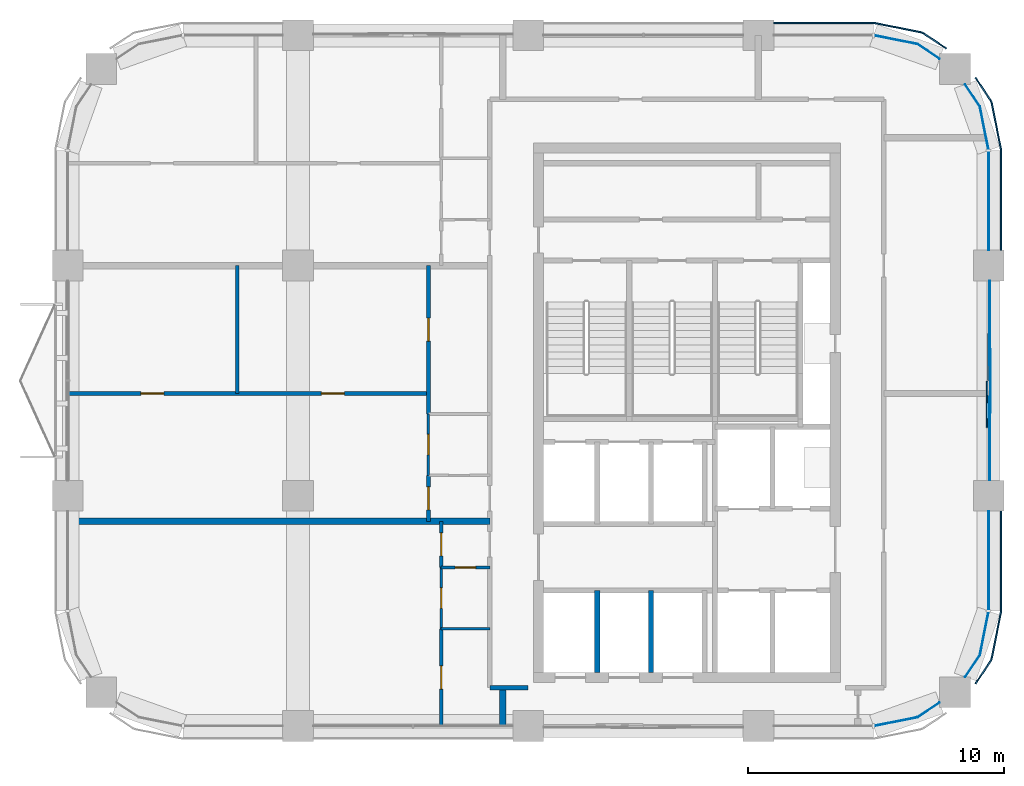
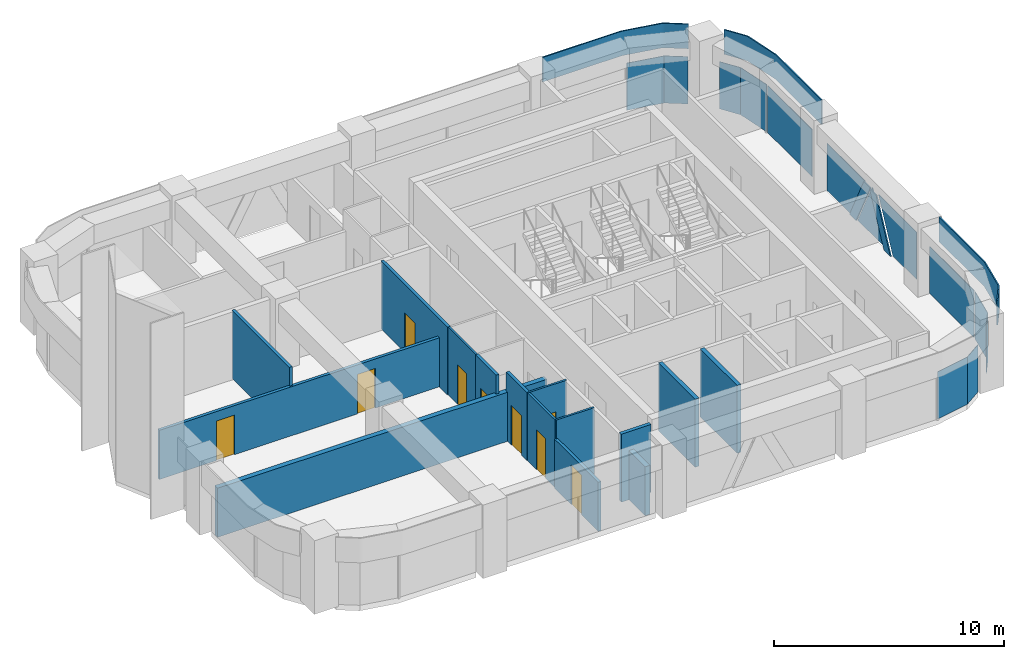
# One storey, part 6 of 10: 15 walls, 14 plates, 9 doors, 9 openings, 5 elements without a shape of their own.
"""IFC4 building model written with IfcOpenShell, lengths in metres."""

from ifc_helpers import new_model, si_unit, direction, frame, frame_2d, origin, origin_2d, place, context, subcontext, project, spatial, polyline, rectangle, outline, extrude, material, layer, layer_set, type_object, element, fill, aggregate, save


model = new_model("IFC4")

# Units and contexts
model_context = context("Model", 3, precision=1e-05, world=origin(), true_north=direction((0.0, 1.0)))
body_context = subcontext(model_context, "Body", "Model", "MODEL_VIEW")
ifc_project = project(units=[si_unit("LENGTHUNIT", "METRE"), si_unit("AREAUNIT", "SQUARE_METRE"), si_unit("VOLUMEUNIT", "CUBIC_METRE"), si_unit("PLANEANGLEUNIT", "RADIAN"), si_unit("MASSUNIT", "GRAM", prefix="KILO")], contexts=[model_context])

# Site, building, storey
site_placement = place(None, origin())
site = spatial("IfcSite", under=ifc_project, at=site_placement, CompositionType="ELEMENT")
building_placement = place(site_placement, origin())
building = spatial("IfcBuilding", under=site, at=building_placement, Name="Tessera Arch", CompositionType="ELEMENT")
storey_placement = place(building_placement, frame((0.0, 0.0, 238.39990234375)))
storey = spatial("IfcBuildingStorey", under=building, at=storey_placement, Name="L57", CompositionType="ELEMENT", Elevation=238.39990234375)

# Curtain wall, plates
ifc_material_1 = material(Name="CW2 curtain wall")
curtain_wall_type_1 = type_object("IfcCurtainWallType", Name="CW2 curtain wall", PredefinedType="NOTDEFINED", material=ifc_material_1)
curtain_wall_1_placement = place(storey_placement, origin())
curtain_wall_1 = element("IfcCurtainWall", 1, at=curtain_wall_1_placement, inside=storey, type_object=curtain_wall_type_1, Name="CW2 curtain wall E54.27/1 L57", PredefinedType="NOTDEFINED")
ifc_material_2 = material(Name="Clear low-e glass", Category="glass")
ifc_material_3 = material(Name="Clear low-e glass", Category="glass")
ifc_layer_1 = layer(ifc_material_3, 0.028076171875)
ifc_layer_set_1 = layer_set([ifc_layer_1], Name="CW2 glass panel")
plate_type_1 = type_object("IfcPlateType", Name="CW2 glass panel", PredefinedType="CURTAIN_PANEL", material=ifc_layer_set_1)
plate_1_placement = place(storey_placement, frame((54.0, 47.530029296875, 0.0), z_axis=(0.0, 0.0, 1.0), x_axis=(0.0, 1.0, 0.0)))
plate_1 = element("IfcPlate", 2, at=plate_1_placement, type_object=plate_type_1, material=ifc_material_2, Name="CW2 glass panel E54.27/1 1.1", PredefinedType="CURTAIN_PANEL", context=body_context, shape_type="SweptSolid", body=[
    extrude(rectangle(XDim=3.860107421875, YDim=0.028076171875, at=origin_2d()), origin(), (0.0, 0.0, 1.0), 2.5),
])
plate_2_placement = place(storey_placement, origin())
plate_2 = element("IfcPlate", 3, at=plate_2_placement, type_object=plate_type_1, material=ifc_material_2, Name="CW2 curved glass panel E54.27/1 2.1", PredefinedType="CURTAIN_PANEL", context=body_context, shape_type="SweptSolid", body=[
    extrude(outline(polyline([(53.644287109375, 51.216552734375), (53.978515625, 49.53662109375), (54.005859375, 49.5419921875), (53.670654296875, 51.2275390625), (53.094482421875, 52.08984375), (53.0712890625, 52.07421875), (53.644287109375, 51.216552734375)])), origin(), (0.0, 0.0, 1.0), 2.5),
])

# Curtain wall, plate
curtain_wall_2_placement = place(storey_placement, origin())
curtain_wall_2 = element("IfcCurtainWall", 4, at=curtain_wall_2_placement, inside=storey, type_object=curtain_wall_type_1, Name="CW2 curtain wall N54.18/0 L57", PredefinedType="NOTDEFINED")
plate_3_placement = place(storey_placement, origin())
plate_3 = element("IfcPlate", 5, at=plate_3_placement, type_object=plate_type_1, material=ifc_material_2, Name="CW2 curved glass panel N54.18/0 2.1", PredefinedType="CURTAIN_PANEL", context=body_context, shape_type="SweptSolid", body=[
    extrude(outline(polyline([(51.216552734375, 53.644287109375), (52.07421875, 53.0712890625), (52.08984375, 53.094482421875), (51.2275390625, 53.670654296875), (49.5419921875, 54.005859375), (49.53662109375, 53.978515625), (51.216552734375, 53.644287109375)])), origin(), (0.0, 0.0, 1.0), 2.5),
])

curtain_wall_3_placement = place(storey_placement, origin())
curtain_wall_3 = element("IfcCurtainWall", 6, at=curtain_wall_3_placement, inside=storey, type_object=curtain_wall_type_1, Name="CW2 curtain wall S27.18/3 L57", PredefinedType="NOTDEFINED")
plate_4_placement = place(storey_placement, origin())
plate_4 = element("IfcPlate", 7, at=plate_4_placement, type_object=plate_type_1, material=ifc_material_2, Name="CW2 curved glass panel S27.18/3 2.1", PredefinedType="CURTAIN_PANEL", context=body_context, shape_type="SweptSolid", body=[
    extrude(outline(polyline([(51.216552734375, 27.355712890625), (49.53662109375, 27.021484375), (49.5419921875, 26.994140625), (51.2275390625, 27.329345703125), (52.08984375, 27.905517578125), (52.07421875, 27.9287109375), (51.216552734375, 27.355712890625)])), origin(), (0.0, 0.0, 1.0), 2.5),
])
aggregate(curtain_wall_3, [plate_4])

# Curtain wall, plates
curtain_wall_4_placement = place(storey_placement, origin())
curtain_wall_4 = element("IfcCurtainWall", 8, at=curtain_wall_4_placement, inside=storey, type_object=curtain_wall_type_1, Name="CW2 curtain wall E54.27/2 L57", PredefinedType="NOTDEFINED")
plate_5_placement = place(storey_placement, frame((54.0, 33.469970703125, 0.0), z_axis=(0.0, 0.0, 1.0), x_axis=(0.0, 1.0, 0.0)))
plate_5 = element("IfcPlate", 9, at=plate_5_placement, type_object=plate_type_1, material=ifc_material_2, Name="CW2 glass panel E54.27/2 1.1", PredefinedType="CURTAIN_PANEL", context=body_context, shape_type="SweptSolid", body=[
    extrude(rectangle(XDim=3.860107421875, YDim=0.028076171875, at=origin_2d()), origin(), (0.0, 0.0, 1.0), 2.5),
])
plate_6_placement = place(storey_placement, origin())
plate_6 = element("IfcPlate", 10, at=plate_6_placement, type_object=plate_type_1, material=ifc_material_2, Name="CW2 curved glass panel E54.27/2 2.1", PredefinedType="CURTAIN_PANEL", context=body_context, shape_type="SweptSolid", body=[
    extrude(outline(polyline([(53.644287109375, 29.783447265625), (53.0712890625, 28.92578125), (53.094482421875, 28.91015625), (53.670654296875, 29.7724609375), (54.005859375, 31.4580078125), (53.978515625, 31.46337890625), (53.644287109375, 29.783447265625)])), origin(), (0.0, 0.0, 1.0), 2.5),
])

# Plate
ifc_material_4 = material(Name="Pale anodised aluminium panel", Category="aluminium")
ifc_layer_2 = layer(ifc_material_4, 0.06005859375)
ifc_layer_set_2 = layer_set([ifc_layer_2], Name="CW2 spandrel panel")
plate_type_2 = type_object("IfcPlateType", Name="CW2 spandrel panel", PredefinedType="CURTAIN_PANEL", material=ifc_layer_set_2)
plate_7_placement = place(storey_placement, frame((0.0, 0.0, 2.60009765625)))
plate_7 = element("IfcPlate", 11, at=plate_7_placement, type_object=plate_type_2, Name="CW2 spandrel panel E54.27/1", PredefinedType="CURTAIN_PANEL", context=body_context, shape_type="SweptSolid", body=[
    extrude(outline(polyline([(54.449951171875, 49.499267578125), (54.449951171875, 45.60009765625), (54.510009765625, 45.60009765625), (54.510009765625, 49.500732421875), (54.507568359375, 49.550048828125), (54.500244140625, 49.598876953125), (54.157470703125, 51.322265625), (54.1455078125, 51.3701171875), (54.128662109375, 51.417236328125), (54.107421875, 51.462646484375), (54.08203125, 51.5048828125), (53.5068359375, 52.365234375), (53.45703125, 52.33203125), (54.03125, 51.47265625), (54.054443359375, 51.434326171875), (54.0732421875, 51.394287109375), (54.088134765625, 51.352783203125), (54.09912109375, 51.30908203125), (54.441162109375, 49.588623046875), (54.44775390625, 49.544189453125), (54.449951171875, 49.499267578125)])), origin(), (0.0, 0.0, 1.0), 1.300048828125),
])

aggregate(curtain_wall_1, [plate_1, plate_2, plate_7])

plate_8_placement = place(storey_placement, frame((0.0, 0.0, 2.60009765625)))
plate_8 = element("IfcPlate", 12, at=plate_8_placement, type_object=plate_type_2, Name="CW2 spandrel panel N54.18/0", PredefinedType="CURTAIN_PANEL", context=body_context, shape_type="SweptSolid", body=[
    extrude(outline(polyline([(51.47265625, 54.03125), (52.33203125, 53.45703125), (52.365234375, 53.5068359375), (51.5048828125, 54.08203125), (51.462646484375, 54.107421875), (51.417236328125, 54.128662109375), (51.3701171875, 54.1455078125), (51.322265625, 54.157470703125), (49.598876953125, 54.500244140625), (49.550048828125, 54.507568359375), (49.500732421875, 54.510009765625), (45.60009765625, 54.510009765625), (45.60009765625, 54.449951171875), (49.499267578125, 54.449951171875), (49.544189453125, 54.44775390625), (49.588623046875, 54.441162109375), (51.30908203125, 54.09912109375), (51.352783203125, 54.088134765625), (51.394287109375, 54.0732421875), (51.434326171875, 54.054443359375), (51.47265625, 54.03125)])), origin(), (0.0, 0.0, 1.0), 1.300048828125),
])

aggregate(curtain_wall_2, [plate_3, plate_8])

plate_9_placement = place(storey_placement, frame((0.0, 0.0, 2.60009765625)))
plate_9 = element("IfcPlate", 13, at=plate_9_placement, type_object=plate_type_2, Name="CW2 spandrel panel E54.27/2", PredefinedType="CURTAIN_PANEL", context=body_context, shape_type="SweptSolid", body=[
    extrude(outline(polyline([(54.03125, 29.52734375), (53.45703125, 28.66796875), (53.5068359375, 28.634765625), (54.08203125, 29.4951171875), (54.107421875, 29.537353515625), (54.128662109375, 29.582763671875), (54.1455078125, 29.6298828125), (54.157470703125, 29.677734375), (54.500244140625, 31.401123046875), (54.507568359375, 31.449951171875), (54.510009765625, 31.499267578125), (54.510009765625, 35.39990234375), (54.449951171875, 35.39990234375), (54.449951171875, 31.500732421875), (54.44775390625, 31.455810546875), (54.441162109375, 31.411376953125), (54.09912109375, 29.69091796875), (54.088134765625, 29.647216796875), (54.0732421875, 29.605712890625), (54.054443359375, 29.565673828125), (54.03125, 29.52734375)])), origin(), (0.0, 0.0, 1.0), 1.300048828125),
])

aggregate(curtain_wall_4, [plate_5, plate_6, plate_9])

# Curtain wall, plates
ifc_material_5 = material(Name="CW3 curtain wall")
curtain_wall_type_2 = type_object("IfcCurtainWallType", Name="CW3 curtain wall", PredefinedType="NOTDEFINED", material=ifc_material_5)
curtain_wall_5_placement = place(storey_placement, origin())
curtain_wall_5 = element("IfcCurtainWall", 14, at=curtain_wall_5_placement, inside=storey, type_object=curtain_wall_type_2, Name="CW3 curtain wall E54.27/0 L57", PredefinedType="NOTDEFINED")
ifc_material_6 = material(Name="Pale anodised aluminium panel", Category="aluminium")
ifc_layer_3 = layer(ifc_material_6, 0.06005859375)
ifc_layer_set_3 = layer_set([ifc_layer_3], Name="CW3 diagonal panel")
plate_type_3 = type_object("IfcPlateType", Name="CW3 diagonal panel", PredefinedType="CURTAIN_PANEL", material=ifc_layer_set_3)
plate_10_placement = place(storey_placement, frame((54.030029296875, 41.082275390625, 2.5), z_axis=(1.0, 0.0, 0.0), x_axis=(0.0, -1.0, 0.0)))
plate_10 = element("IfcPlate", 15, at=plate_10_placement, type_object=plate_type_3, Name="CW3 diagonal panel E54.27/0 1", PredefinedType="CURTAIN_PANEL", context=body_context, shape_type="SweptSolid", body=[
    extrude(outline(polyline([(0.0, 0.0), (0.564453125, 0.0), (-0.685546875, 2.5), (-1.25, 2.5), (0.0, 0.0)])), origin(), (0.0, 0.0, -1.0), 0.06005859375),
])
plate_11_placement = place(storey_placement, frame((53.969970703125, 40.482177734375, 2.5), z_axis=(1.0, 0.0, 0.0), x_axis=(0.0, -1.0, 0.0)))
plate_11 = element("IfcPlate", 16, at=plate_11_placement, type_object=plate_type_3, Name="CW3 diagonal panel E54.27/0 2", PredefinedType="CURTAIN_PANEL", context=body_context, shape_type="SweptSolid", body=[
    extrude(outline(polyline([(0.0, 0.0), (0.564453125, 0.0), (1.814453125, 2.5), (1.25, 2.5), (0.0, 0.0)])), origin(), (0.0, 0.0, -1.0), 0.06005859375),
])
ifc_material_7 = material(Name="Clear low-e glass", Category="glass")
ifc_layer_4 = layer(ifc_material_7, 0.028076171875)
ifc_layer_set_4 = layer_set([ifc_layer_4], Name="CW3 glass panel")
plate_type_4 = type_object("IfcPlateType", Name="CW3 glass panel", PredefinedType="CURTAIN_PANEL", material=ifc_layer_set_4)
plate_12_placement = place(storey_placement, frame((54.05810546875, 36.60009765625, 0.0), z_axis=(1.0, 0.0, 0.0), x_axis=(0.0, 1.0, 0.0)))
plate_12 = element("IfcPlate", 17, at=plate_12_placement, type_object=plate_type_4, material=ifc_material_2, Name="CW3 triangulated glass panel E54.27/0 1", PredefinedType="CURTAIN_PANEL", context=body_context, shape_type="SweptSolid", body=[
    extrude(outline(polyline([(0.0, 0.0), (2.067626953125, 0.0), (3.317626953125, 2.5), (0.0, 2.5), (0.0, 0.0)])), origin(), (0.0, 0.0, -1.0), 0.028076171875),
])
plate_13_placement = place(storey_placement, frame((54.0859375, 40.517822265625, 2.5), z_axis=(1.0, 0.0, 0.0), x_axis=(0.0, -1.0, 0.0)))
plate_13 = element("IfcPlate", 18, at=plate_13_placement, type_object=plate_type_4, material=ifc_material_2, Name="CW3 triangulated glass panel E54.27/0 2", PredefinedType="CURTAIN_PANEL", context=body_context, shape_type="SweptSolid", body=[
    extrude(outline(polyline([(0.0, 0.0), (0.03564453125, 0.0), (1.28564453125, 2.5), (-1.25, 2.5), (0.0, 0.0)])), origin(), (0.0, 0.0, -1.0), 0.028076171875),
])
plate_14_placement = place(storey_placement, frame((54.05810546875, 44.39990234375, 2.5), z_axis=(1.0, 0.0, 0.0), x_axis=(0.0, -1.0, 0.0)))
plate_14 = element("IfcPlate", 19, at=plate_14_placement, type_object=plate_type_4, material=ifc_material_2, Name="CW3 triangulated glass panel E54.27/0 3", PredefinedType="CURTAIN_PANEL", context=body_context, shape_type="SweptSolid", body=[
    extrude(outline(polyline([(0.0, 0.0), (3.317626953125, 0.0), (2.067626953125, 2.5), (0.0, 2.5), (0.0, 0.0)])), origin(), (0.0, 0.0, -1.0), 0.028076171875),
])
aggregate(curtain_wall_5, [plate_12, plate_13, plate_14, plate_10, plate_11])

# Wall
ifc_material_8 = material(Name="Gypsum board on deep steel stud with mineral wool", Category="steel")
ifc_layer_5 = layer(ifc_material_8, 0.175048828125)
ifc_layer_set_5 = layer_set([ifc_layer_5], Name="Corridor wall 175 EI 60")
wall_type_1 = type_object("IfcWallType", Name="Corridor wall 175 EI 60", PredefinedType="PARTITIONING", material=ifc_layer_set_5)
wall_1_placement = place(storey_placement, frame((34.5, 28.5, 0.0), z_axis=(0.0, 0.0, 1.0), x_axis=(1.0, 0.0, 0.0)))
element("IfcWall", 20, at=wall_1_placement, inside=storey, type_object=wall_type_1, Name="L57 partition 1", PredefinedType="PARTITIONING", context=body_context, shape_type="SweptSolid", body=[
    extrude(rectangle(XDim=1.5, YDim=0.175048828125, at=frame_2d((0.75, 0.0))), origin(), (0.0, 0.0, 1.0), 3.60009765625),
])

# Wall, openings, doors
ifc_material_9 = material(Name="Gypsum board on steel stud", Category="steel")
ifc_layer_6 = layer(ifc_material_9, 0.14990234375)
ifc_layer_set_6 = layer_set([ifc_layer_6], Name="Partition 150")
wall_type_2 = type_object("IfcWallType", Name="Partition 150", PredefinedType="PARTITIONING", material=ifc_layer_set_6)
wall_2_placement = place(storey_placement, frame((18.0, 40.0, 0.0), z_axis=(0.0, 0.0, 1.0), x_axis=(1.0, 0.0, 0.0)))
wall_2 = element("IfcWall", 21, at=wall_2_placement, inside=storey, type_object=wall_type_2, Name="L57 partition 6", PredefinedType="PARTITIONING", context=body_context, shape_type="SweptSolid", body=[
    extrude(rectangle(XDim=14.10009765625, YDim=0.14990234375, at=frame_2d((7.050048828125, 0.0))), origin(), (0.0, 0.0, 1.0), 2.60009765625),
])
opening_1_placement = place(wall_2_placement, frame((9.91357421875, 0.0, 0.0)))
opening_1 = element("IfcOpeningElement", 22, at=opening_1_placement, cuts=wall_2, Name="Opening L57-D012", PredefinedType="OPENING", context=body_context, shape_type="SweptSolid", body=[
    extrude(rectangle(XDim=0.89990234375, YDim=2.10009765625, at=frame_2d((0.449951171875, 1.050048828125))), frame((0.0, 0.0849609375, 0.0), z_axis=(0.0, -1.0, 0.0), x_axis=(1.0, 0.0, 0.0)), (0.0, 0.0, 1.0), 0.169921875),
])
opening_2_placement = place(wall_2_placement, frame((2.863525390625, 0.0, 0.0)))
opening_2 = element("IfcOpeningElement", 23, at=opening_2_placement, cuts=wall_2, Name="Opening L57-D013", PredefinedType="OPENING", context=body_context, shape_type="SweptSolid", body=[
    extrude(rectangle(XDim=0.89990234375, YDim=2.10009765625, at=frame_2d((0.449951171875, 1.050048828125))), frame((0.0, 0.0849609375, 0.0), z_axis=(0.0, -1.0, 0.0), x_axis=(1.0, 0.0, 0.0)), (0.0, 0.0, 1.0), 0.169921875),
])
ifc_material_10 = material(Name="Timber door leaf", Category="wood")
door_type_1 = type_object("IfcDoorType", Name="Room door 900 x 2100", OperationType="SINGLE_SWING_LEFT", PredefinedType="DOOR", material=ifc_material_10)
door_1_placement = place(opening_1_placement, origin())
door_1 = element("IfcDoor", 24, at=door_1_placement, inside=storey, type_object=door_type_1, Name="L57 door D012 type D01", OperationType="SINGLE_SWING_RIGHT", OverallHeight=2.10009765625, OverallWidth=0.89990234375, PredefinedType="DOOR", context=body_context, shape_type="SweptSolid", body=[
    extrude(rectangle(XDim=0.89990234375, YDim=2.10009765625, at=frame_2d((0.449951171875, 1.050048828125))), frame((0.0, 0.02490234375, 0.0), z_axis=(0.0, -1.0, 0.0), x_axis=(1.0, 0.0, 0.0)), (0.0, 0.0, 1.0), 0.050048828125),
])
fill(opening_1, door_1)
door_2_placement = place(opening_2_placement, origin())
door_2 = element("IfcDoor", 25, at=door_2_placement, inside=storey, type_object=door_type_1, Name="L57 door D013 type D01", OperationType="SINGLE_SWING_RIGHT", OverallHeight=2.10009765625, OverallWidth=0.89990234375, PredefinedType="DOOR", context=body_context, shape_type="SweptSolid", body=[
    extrude(rectangle(XDim=0.89990234375, YDim=2.10009765625, at=frame_2d((0.449951171875, 1.050048828125))), frame((0.0, 0.02490234375, 0.0), z_axis=(0.0, -1.0, 0.0), x_axis=(1.0, 0.0, 0.0)), (0.0, 0.0, 1.0), 0.050048828125),
])
fill(opening_2, door_2)

# Wall
wall_3_placement = place(storey_placement, frame((24.626953125, 40.0, 0.0), z_axis=(0.0, 0.0, 1.0), x_axis=(0.0, 1.0, 0.0)))
element("IfcWall", 26, at=wall_3_placement, inside=storey, type_object=wall_type_2, Name="L57 partition 8", PredefinedType="PARTITIONING", context=body_context, shape_type="SweptSolid", body=[
    extrude(rectangle(XDim=5.0, YDim=0.14990234375, at=frame_2d((2.5, 0.0))), origin(), (0.0, 0.0, 1.0), 3.60009765625),
])

# Wall, opening, door
wall_4_placement = place(storey_placement, frame((32.10009765625, 35.0, 0.0), z_axis=(0.0, 0.0, 1.0), x_axis=(0.0, 1.0, 0.0)))
wall_4 = element("IfcWall", 27, at=wall_4_placement, inside=storey, type_object=wall_type_2, Name="L57 partition 10", PredefinedType="PARTITIONING", context=body_context, shape_type="SweptSolid", body=[
    extrude(rectangle(XDim=1.800048828125, YDim=0.14990234375, at=frame_2d((0.89990234375, 0.0))), origin(), (0.0, 0.0, 1.0), 3.60009765625),
])
opening_3_placement = place(wall_4_placement, frame((0.449951171875, 0.0, 0.0)))
opening_3 = element("IfcOpeningElement", 28, at=opening_3_placement, cuts=wall_4, Name="Opening L57-D008", PredefinedType="OPENING", context=body_context, shape_type="SweptSolid", body=[
    extrude(rectangle(XDim=0.89990234375, YDim=2.10009765625, at=frame_2d((0.449951171875, 1.050048828125))), frame((0.0, 0.0849609375, 0.0), z_axis=(0.0, -1.0, 0.0), x_axis=(1.0, 0.0, 0.0)), (0.0, 0.0, 1.0), 0.169921875),
])
door_3_placement = place(opening_3_placement, origin())
door_3 = element("IfcDoor", 29, at=door_3_placement, inside=storey, type_object=door_type_1, Name="L57 door D008 type D01", OperationType="SINGLE_SWING_LEFT", OverallHeight=2.10009765625, OverallWidth=0.89990234375, PredefinedType="DOOR", context=body_context, shape_type="SweptSolid", body=[
    extrude(rectangle(XDim=0.89990234375, YDim=2.10009765625, at=frame_2d((0.449951171875, 1.050048828125))), frame((0.0, 0.02490234375, 0.0), z_axis=(0.0, -1.0, 0.0), x_axis=(1.0, 0.0, 0.0)), (0.0, 0.0, 1.0), 0.050048828125),
])
fill(opening_3, door_3)

wall_5_placement = place(storey_placement, frame((32.10009765625, 39.199951171875, 0.0), z_axis=(0.0, 0.0, 1.0), x_axis=(0.0, 1.0, 0.0)))
wall_5 = element("IfcWall", 30, at=wall_5_placement, inside=storey, type_object=wall_type_2, Name="L57 partition 11", PredefinedType="PARTITIONING", context=body_context, shape_type="SweptSolid", body=[
    extrude(rectangle(XDim=5.800048828125, YDim=0.14990234375, at=frame_2d((2.89990234375, 0.0))), origin(), (0.0, 0.0, 1.0), 3.60009765625),
])
opening_4_placement = place(wall_5_placement, frame((2.85009765625, 0.0, 0.0)))
opening_4 = element("IfcOpeningElement", 31, at=opening_4_placement, cuts=wall_5, Name="Opening L57-D011", PredefinedType="OPENING", context=body_context, shape_type="SweptSolid", body=[
    extrude(rectangle(XDim=0.89990234375, YDim=2.10009765625, at=frame_2d((0.449951171875, 1.050048828125))), frame((0.0, 0.0849609375, 0.0), z_axis=(0.0, -1.0, 0.0), x_axis=(1.0, 0.0, 0.0)), (0.0, 0.0, 1.0), 0.169921875),
])
door_4_placement = place(opening_4_placement, origin())
door_4 = element("IfcDoor", 32, at=door_4_placement, inside=storey, type_object=door_type_1, Name="L57 door D011 type D01", OperationType="SINGLE_SWING_LEFT", OverallHeight=2.10009765625, OverallWidth=0.89990234375, PredefinedType="DOOR", context=body_context, shape_type="SweptSolid", body=[
    extrude(rectangle(XDim=0.89990234375, YDim=2.10009765625, at=frame_2d((0.449951171875, 1.050048828125))), frame((0.0, 0.02490234375, 0.0), z_axis=(0.0, -1.0, 0.0), x_axis=(1.0, 0.0, 0.0)), (0.0, 0.0, 1.0), 0.050048828125),
])
fill(opening_4, door_4)

wall_6_placement = place(storey_placement, frame((32.60009765625, 27.0, 0.0), z_axis=(0.0, 0.0, 1.0), x_axis=(0.0, 1.0, 0.0)))
wall_6 = element("IfcWall", 33, at=wall_6_placement, inside=storey, type_object=wall_type_2, Name="L57 partition 12", PredefinedType="PARTITIONING", context=body_context, shape_type="SweptSolid", body=[
    extrude(rectangle(XDim=3.800048828125, YDim=0.14990234375, at=frame_2d((1.89990234375, 0.0))), origin(), (0.0, 0.0, 1.0), 2.60009765625),
])
opening_5_placement = place(wall_6_placement, frame((1.449951171875, 0.0, 0.0)))
opening_5 = element("IfcOpeningElement", 34, at=opening_5_placement, cuts=wall_6, Name="Opening L57-D005", PredefinedType="OPENING", context=body_context, shape_type="SweptSolid", body=[
    extrude(rectangle(XDim=0.89990234375, YDim=2.10009765625, at=frame_2d((0.449951171875, 1.050048828125))), frame((0.0, 0.0849609375, 0.0), z_axis=(0.0, -1.0, 0.0), x_axis=(1.0, 0.0, 0.0)), (0.0, 0.0, 1.0), 0.169921875),
])
door_5_placement = place(opening_5_placement, origin())
door_5 = element("IfcDoor", 35, at=door_5_placement, inside=storey, type_object=door_type_1, Name="L57 door D005 type D01", OperationType="SINGLE_SWING_LEFT", OverallHeight=2.10009765625, OverallWidth=0.89990234375, PredefinedType="DOOR", context=body_context, shape_type="SweptSolid", body=[
    extrude(rectangle(XDim=0.89990234375, YDim=2.10009765625, at=frame_2d((0.449951171875, 1.050048828125))), frame((0.0, 0.02490234375, 0.0), z_axis=(0.0, -1.0, 0.0), x_axis=(1.0, 0.0, 0.0)), (0.0, 0.0, 1.0), 0.050048828125),
])
fill(opening_5, door_5)

wall_7_placement = place(storey_placement, frame((32.60009765625, 33.199951171875, 0.0), z_axis=(0.0, 0.0, 1.0), x_axis=(0.0, 1.0, 0.0)))
wall_7 = element("IfcWall", 36, at=wall_7_placement, inside=storey, type_object=wall_type_2, Name="L57 partition 13", PredefinedType="PARTITIONING", context=body_context, shape_type="SweptSolid", body=[
    extrude(rectangle(XDim=1.800048828125, YDim=0.14990234375, at=frame_2d((0.89990234375, 0.0))), origin(), (0.0, 0.0, 1.0), 3.60009765625),
])
opening_6_placement = place(wall_7_placement, frame((0.449951171875, 0.0, 0.0)))
opening_6 = element("IfcOpeningElement", 37, at=opening_6_placement, cuts=wall_7, Name="Opening L57-D002", PredefinedType="OPENING", context=body_context, shape_type="SweptSolid", body=[
    extrude(rectangle(XDim=0.89990234375, YDim=2.10009765625, at=frame_2d((0.449951171875, 1.050048828125))), frame((0.0, 0.0849609375, 0.0), z_axis=(0.0, -1.0, 0.0), x_axis=(1.0, 0.0, 0.0)), (0.0, 0.0, 1.0), 0.169921875),
])
door_6_placement = place(opening_6_placement, origin())
door_6 = element("IfcDoor", 38, at=door_6_placement, inside=storey, type_object=door_type_1, Name="L57 door D002 type D01", OperationType="SINGLE_SWING_LEFT", OverallHeight=2.10009765625, OverallWidth=0.89990234375, PredefinedType="DOOR", context=body_context, shape_type="SweptSolid", body=[
    extrude(rectangle(XDim=0.89990234375, YDim=2.10009765625, at=frame_2d((0.449951171875, 1.050048828125))), frame((0.0, 0.02490234375, 0.0), z_axis=(0.0, -1.0, 0.0), x_axis=(1.0, 0.0, 0.0)), (0.0, 0.0, 1.0), 0.050048828125),
])
fill(opening_6, door_6)

# Walls
ifc_material_11 = material(Name="Double gypsum board on twin steel stud with acoustic mineral wool", Category="steel")
ifc_layer_7 = layer(ifc_material_11, 0.25)
ifc_layer_set_7 = layer_set([ifc_layer_7], Name="Party wall 250 EI 60")
wall_type_3 = type_object("IfcWallType", Name="Party wall 250 EI 60", PredefinedType="PARTITIONING", material=ifc_layer_set_7)
wall_8_placement = place(storey_placement, frame((18.0, 35.0, 0.0), z_axis=(0.0, 0.0, 1.0), x_axis=(1.0, 0.0, 0.0)))
element("IfcWall", 39, at=wall_8_placement, inside=storey, type_object=wall_type_3, Name="L57 partition 16", PredefinedType="PARTITIONING", context=body_context, shape_type="SweptSolid", body=[
    extrude(rectangle(XDim=16.5, YDim=0.25, at=frame_2d((8.25, 0.0))), origin(), (0.0, 0.0, 1.0), 2.60009765625),
])
wall_9_placement = place(storey_placement, frame((35.0, 27.0, 0.0), z_axis=(0.0, 0.0, 1.0), x_axis=(0.0, 1.0, 0.0)))
element("IfcWall", 40, at=wall_9_placement, inside=storey, type_object=wall_type_3, Name="L57 partition 20", PredefinedType="PARTITIONING", context=body_context, shape_type="SweptSolid", body=[
    extrude(rectangle(XDim=1.5, YDim=0.25, at=frame_2d((0.75, 0.0))), origin(), (0.0, 0.0, 1.0), 2.60009765625),
])
ifc_material_12 = material(Name="Concrete C40/50", Category="concrete")
ifc_layer_8 = layer(ifc_material_12, 0.199951171875)
ifc_layer_set_8 = layer_set([ifc_layer_8], Name="Shaft wall 200 EI 120")
wall_type_4 = type_object("IfcWallType", Name="Shaft wall 200 EI 120", PredefinedType="SOLIDWALL", material=ifc_layer_set_8)
for number, where, z_axis, x_axis, name in (
    (41, (38.699951171875, 29.10009765625, 0.0), (0.0, 0.0, 1.0), (0.0, 1.0, 0.0), "L57 C1 shaft wall 1"),
    (42, (40.800048828125, 29.10009765625, 0.0), (0.0, 0.0, 1.0), (0.0, 1.0, 0.0), "L57 C1 shaft wall 5"),
):
    element("IfcWall", number, at=place(storey_placement, frame(where, z_axis=z_axis, x_axis=x_axis)), inside=storey, type_object=wall_type_4, Name=name, PredefinedType="SOLIDWALL", context=body_context, shape_type="SweptSolid", body=[
        extrude(rectangle(XDim=3.199951171875, YDim=0.199951171875, at=frame_2d((1.60009765625, 0.0))), origin(), (0.0, 0.0, 1.0), 3.60009765625),
    ])
ifc_material_13 = material(Name="Moisture-resistant board on pre-plumbed steel stud", Category="steel")
ifc_layer_9 = layer(ifc_material_13, 0.10009765625)
ifc_layer_set_9 = layer_set([ifc_layer_9], Name="Wet wall 100")
wall_type_5 = type_object("IfcWallType", Name="Wet wall 100", PredefinedType="PARTITIONING", material=ifc_layer_set_9)
wall_10_placement = place(storey_placement, frame((32.60009765625, 30.800048828125, 0.0), z_axis=(0.0, 0.0, 1.0), x_axis=(1.0, 0.0, 0.0)))
element("IfcWall", 43, at=wall_10_placement, inside=storey, type_object=wall_type_5, Name="L57 partition 24", PredefinedType="PARTITIONING", context=body_context, shape_type="SweptSolid", body=[
    extrude(rectangle(XDim=1.89990234375, YDim=0.10009765625, at=frame_2d((0.949951171875, 0.0))), origin(), (0.0, 0.0, 1.0), 3.60009765625),
])

# Wall, opening, door
wall_11_placement = place(storey_placement, frame((32.60009765625, 33.199951171875, 0.0), z_axis=(0.0, 0.0, 1.0), x_axis=(1.0, 0.0, 0.0)))
wall_11 = element("IfcWall", 44, at=wall_11_placement, inside=storey, type_object=wall_type_5, Name="L57 partition 25", PredefinedType="PARTITIONING", context=body_context, shape_type="SweptSolid", body=[
    extrude(rectangle(XDim=1.89990234375, YDim=0.10009765625, at=frame_2d((0.949951171875, 0.0))), origin(), (0.0, 0.0, 1.0), 3.60009765625),
])
opening_7_placement = place(wall_11_placement, frame((0.550048828125, 0.0, 0.0)))
opening_7 = element("IfcOpeningElement", 45, at=opening_7_placement, cuts=wall_11, Name="Opening L57-D003", PredefinedType="OPENING", context=body_context, shape_type="SweptSolid", body=[
    extrude(rectangle(XDim=0.800048828125, YDim=2.10009765625, at=frame_2d((0.39990234375, 1.050048828125))), frame((0.0, 0.06005859375, 0.0), z_axis=(0.0, -1.0, 0.0), x_axis=(1.0, 0.0, 0.0)), (0.0, 0.0, 1.0), 0.1201171875),
])
ifc_material_14 = material(Name="Timber door leaf", Category="wood")
door_type_2 = type_object("IfcDoorType", Name="En-suite door 800 x 2100", OperationType="SINGLE_SWING_LEFT", PredefinedType="DOOR", material=ifc_material_14)
door_7_placement = place(opening_7_placement, origin())
door_7 = element("IfcDoor", 46, at=door_7_placement, inside=storey, type_object=door_type_2, Name="L57 door D003 type D02", OperationType="SINGLE_SWING_LEFT", OverallHeight=2.10009765625, OverallWidth=0.800048828125, PredefinedType="DOOR", context=body_context, shape_type="SweptSolid", body=[
    extrude(rectangle(XDim=0.800048828125, YDim=2.10009765625, at=frame_2d((0.39990234375, 1.050048828125))), frame((0.0, 0.02490234375, 0.0), z_axis=(0.0, -1.0, 0.0), x_axis=(1.0, 0.0, 0.0)), (0.0, 0.0, 1.0), 0.050048828125),
])
fill(opening_7, door_7)

wall_12_placement = place(storey_placement, frame((32.10009765625, 36.800048828125, 0.0), z_axis=(0.0, 0.0, 1.0), x_axis=(0.0, 1.0, 0.0)))
wall_12 = element("IfcWall", 47, at=wall_12_placement, inside=storey, type_object=wall_type_5, Name="L57 partition 30", PredefinedType="PARTITIONING", context=body_context, shape_type="SweptSolid", body=[
    extrude(rectangle(XDim=2.39990234375, YDim=0.10009765625, at=frame_2d((1.199951171875, 0.0))), origin(), (0.0, 0.0, 1.0), 3.60009765625),
])
opening_8_placement = place(wall_12_placement, frame((0.800048828125, 0.0, 0.0)))
opening_8 = element("IfcOpeningElement", 48, at=opening_8_placement, cuts=wall_12, Name="Opening L57-D010", PredefinedType="OPENING", context=body_context, shape_type="SweptSolid", body=[
    extrude(rectangle(XDim=0.800048828125, YDim=2.10009765625, at=frame_2d((0.39990234375, 1.050048828125))), frame((0.0, 0.06005859375, 0.0), z_axis=(0.0, -1.0, 0.0), x_axis=(1.0, 0.0, 0.0)), (0.0, 0.0, 1.0), 0.1201171875),
])
door_8_placement = place(opening_8_placement, origin())
door_8 = element("IfcDoor", 49, at=door_8_placement, inside=storey, type_object=door_type_2, Name="L57 door D010 type D02", OperationType="SINGLE_SWING_RIGHT", OverallHeight=2.10009765625, OverallWidth=0.800048828125, PredefinedType="DOOR", context=body_context, shape_type="SweptSolid", body=[
    extrude(rectangle(XDim=0.800048828125, YDim=2.10009765625, at=frame_2d((0.39990234375, 1.050048828125))), frame((0.0, 0.02490234375, 0.0), z_axis=(0.0, -1.0, 0.0), x_axis=(1.0, 0.0, 0.0)), (0.0, 0.0, 1.0), 0.050048828125),
])
fill(opening_8, door_8)

wall_13_placement = place(storey_placement, frame((32.60009765625, 30.800048828125, 0.0), z_axis=(0.0, 0.0, 1.0), x_axis=(0.0, 1.0, 0.0)))
wall_13 = element("IfcWall", 50, at=wall_13_placement, inside=storey, type_object=wall_type_5, Name="L57 partition 31", PredefinedType="PARTITIONING", context=body_context, shape_type="SweptSolid", body=[
    extrude(rectangle(XDim=2.39990234375, YDim=0.10009765625, at=frame_2d((1.199951171875, 0.0))), origin(), (0.0, 0.0, 1.0), 3.60009765625),
])
opening_9_placement = place(wall_13_placement, frame((0.800048828125, 0.0, 0.0)))
opening_9 = element("IfcOpeningElement", 51, at=opening_9_placement, cuts=wall_13, Name="Opening L57-D004", PredefinedType="OPENING", context=body_context, shape_type="SweptSolid", body=[
    extrude(rectangle(XDim=0.800048828125, YDim=2.10009765625, at=frame_2d((0.39990234375, 1.050048828125))), frame((0.0, 0.06005859375, 0.0), z_axis=(0.0, -1.0, 0.0), x_axis=(1.0, 0.0, 0.0)), (0.0, 0.0, 1.0), 0.1201171875),
])
door_9_placement = place(opening_9_placement, origin())
door_9 = element("IfcDoor", 52, at=door_9_placement, inside=storey, type_object=door_type_2, Name="L57 door D004 type D02", OperationType="SINGLE_SWING_RIGHT", OverallHeight=2.10009765625, OverallWidth=0.800048828125, PredefinedType="DOOR", context=body_context, shape_type="SweptSolid", body=[
    extrude(rectangle(XDim=0.800048828125, YDim=2.10009765625, at=frame_2d((0.39990234375, 1.050048828125))), frame((0.0, 0.02490234375, 0.0), z_axis=(0.0, -1.0, 0.0), x_axis=(1.0, 0.0, 0.0)), (0.0, 0.0, 1.0), 0.050048828125),
])
fill(opening_9, door_9)

save(model, "model.ifc")
